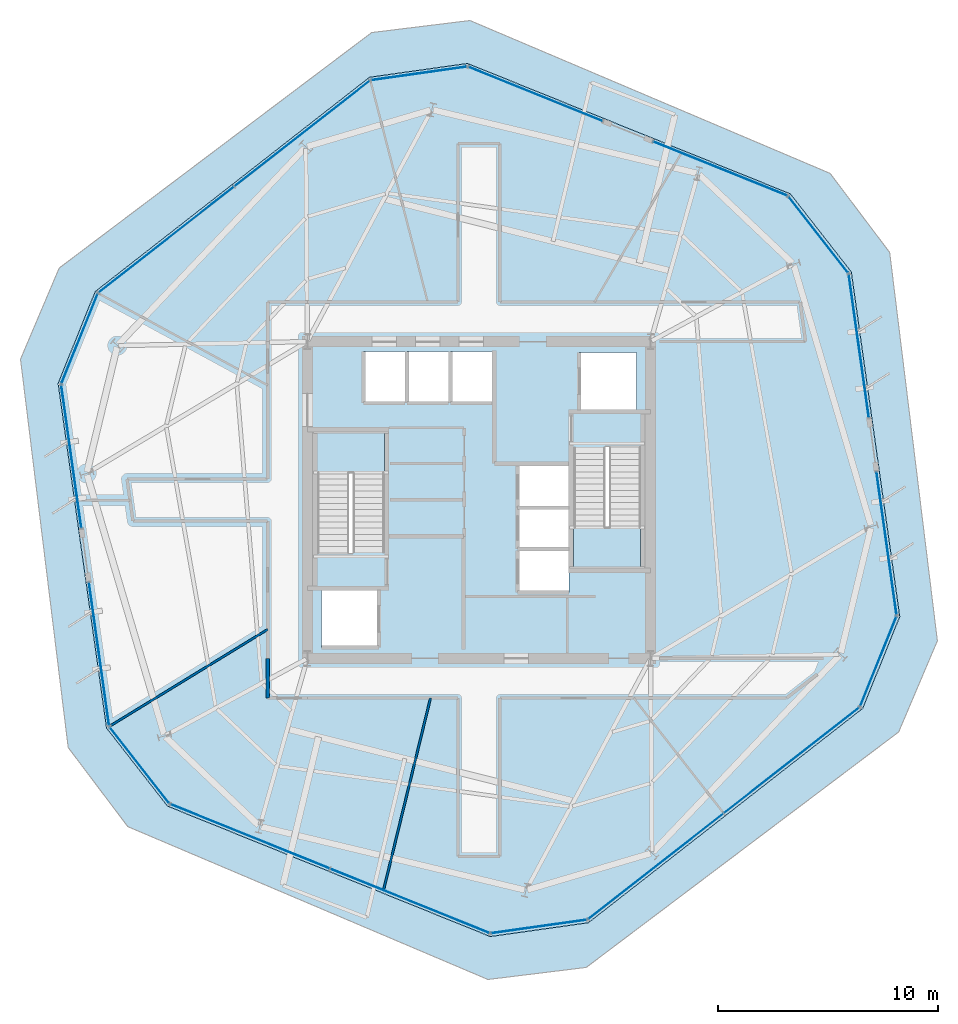
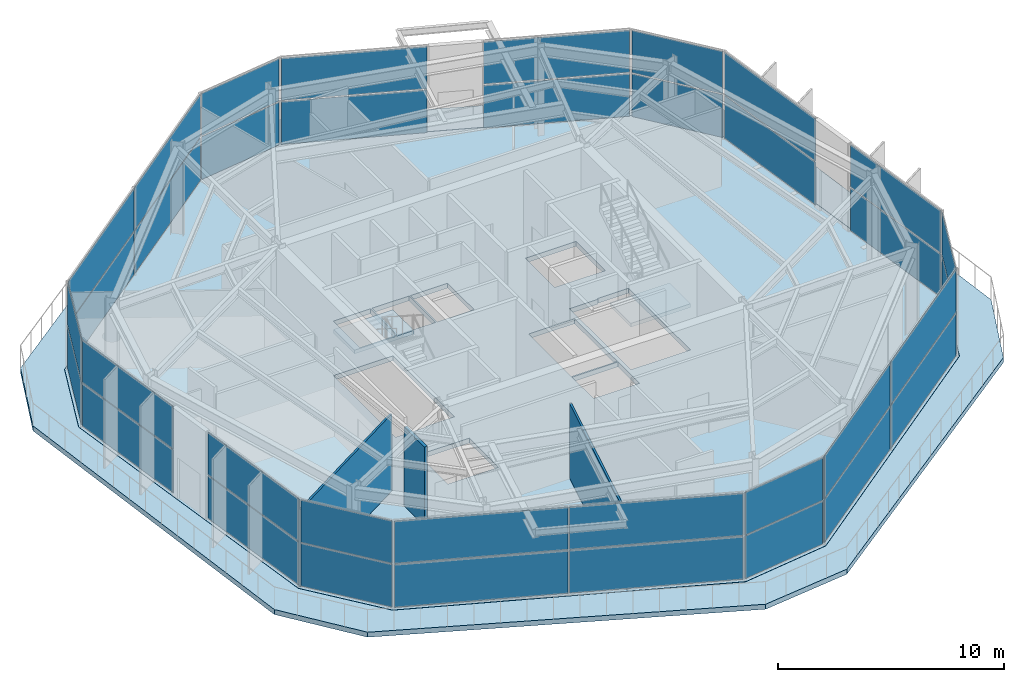
# One storey, part 8 of 14: 36 plates, 4 slabs, 3 walls, 17 elements without a shape of their own.
"""IFC4 building model written with IfcOpenShell, lengths in metres."""

from ifc_helpers import new_model, si_unit, direction, frame, frame_2d, origin, origin_2d, place, context, subcontext, project, spatial, polyline, rectangle, outline, extrude, material, layer, layer_set, type_object, element, aggregate, save


model = new_model("IFC4")

# Units and contexts
model_context = context("Model", 3, precision=1e-05, world=origin(), true_north=direction((0.0, 1.0)))
body_context = subcontext(model_context, "Body", "Model", "MODEL_VIEW")
ifc_project = project(units=[si_unit("LENGTHUNIT", "METRE"), si_unit("AREAUNIT", "SQUARE_METRE"), si_unit("VOLUMEUNIT", "CUBIC_METRE"), si_unit("PLANEANGLEUNIT", "RADIAN"), si_unit("MASSUNIT", "GRAM", prefix="KILO")], contexts=[model_context])

# Site, building, storey
site_placement = place(None, origin())
site = spatial("IfcSite", under=ifc_project, at=site_placement, CompositionType="ELEMENT")
building_placement = place(site_placement, origin())
building = spatial("IfcBuilding", under=site, at=building_placement, Name="Kranzbogen Civic Tower", CompositionType="ELEMENT")
storey_placement = place(building_placement, frame((0.0, 0.0, 175.800048828125)))
storey = spatial("IfcBuildingStorey", under=building, at=storey_placement, Name="L42", CompositionType="ELEMENT", Elevation=175.800048828125)

# Slabs
ifc_material_1 = material(Name="Concrete C40/50", Category="concrete")
ifc_layer_1 = layer(ifc_material_1, 0.260009765625, Name="Concrete C40/50")
ifc_layer_set_1 = layer_set([ifc_layer_1], Name="Concrete C40/50")
slab_type_1 = type_object("IfcSlabType", Name="Composite Podium and Sky Lobby Floor Slab 260 mm", PredefinedType="FLOOR", material=ifc_layer_set_1)
slab_1_placement = place(storey_placement, frame((0.0, 0.0, -0.260009765625)))
element("IfcSlab", 1, at=slab_1_placement, inside=storey, type_object=slab_type_1, Name="L42 tower floor slab", PredefinedType="FLOOR", context=body_context, shape_type="SweptSolid", body=[
    extrude(outline(polyline([(39.152099609375, 38.912109375), (24.48388671875, 44.837890625), (20.028076171875, 44.2109375), (7.56201171875, 34.471923828125), (5.8759765625, 30.300048828125), (8.077880859375, 14.634033203125), (10.847900390625, 11.087890625), (25.51611328125, 5.162109375), (29.971923828125, 5.7890625), (42.43798828125, 15.528076171875), (44.1240234375, 19.699951171875), (41.922119140625, 35.365966796875), (39.152099609375, 38.912109375)]), holes=[polyline([(20.449951171875, 20.89990234375), (20.449951171875, 18.300048828125), (17.85009765625, 18.300048828125), (17.85009765625, 20.89990234375), (20.449951171875, 20.89990234375)]), polyline([(29.10009765625, 22.699951171875), (29.10009765625, 20.800048828125), (26.75, 20.800048828125), (26.75, 22.699951171875), (29.10009765625, 22.699951171875)]), polyline([(29.10009765625, 24.64990234375), (29.10009765625, 22.77490234375), (26.75, 22.77490234375), (26.75, 24.64990234375), (26.75, 24.675048828125), (26.75, 26.550048828125), (29.10009765625, 26.550048828125), (29.10009765625, 24.675048828125), (29.10009765625, 24.64990234375)]), polyline([(30.75, 27.340087890625), (30.75, 27.39990234375), (32.35009765625, 27.39990234375), (32.35009765625, 21.89990234375), (29.300048828125, 21.89990234375), (29.300048828125, 27.340087890625), (30.75, 27.340087890625)]), polyline([(19.25, 22.659912109375), (19.25, 22.60009765625), (17.64990234375, 22.60009765625), (17.64990234375, 28.10009765625), (20.699951171875, 28.10009765625), (20.699951171875, 22.659912109375), (19.25, 22.659912109375)]), polyline([(32.14990234375, 31.699951171875), (32.14990234375, 29.10009765625), (29.550048828125, 29.10009765625), (29.550048828125, 31.699951171875), (32.14990234375, 31.699951171875)]), polyline([(21.64990234375, 31.75), (21.64990234375, 29.39990234375), (19.75, 29.39990234375), (19.75, 31.75), (21.64990234375, 31.75)]), polyline([(23.625, 29.39990234375), (21.72509765625, 29.39990234375), (21.72509765625, 31.75), (23.625, 31.75), (23.625, 29.39990234375)]), polyline([(25.60009765625, 29.39990234375), (23.699951171875, 29.39990234375), (23.699951171875, 31.75), (25.60009765625, 31.75), (25.60009765625, 29.39990234375)])]), origin(), (0.0, 0.0, 1.0), 0.260009765625),
])
ifc_layer_2 = layer(ifc_material_1, 0.27001953125, Name="Concrete C40/50")
ifc_layer_set_2 = layer_set([ifc_layer_2], Name="Concrete C40/50")
slab_type_2 = type_object("IfcSlabType", Name="Health Centre Insulated Roof Terrace Slab 270 mm", PredefinedType="FLOOR", material=ifc_layer_set_2)
slab_2_placement = place(storey_placement, frame((0.0, 0.0, -0.27001953125)))
element("IfcSlab", 2, at=slab_2_placement, inside=storey, type_object=slab_type_2, Name="L42 setback outdoor terrace slab 1", PredefinedType="FLOOR", context=body_context, shape_type="SweptSolid", body=[
    extrude(outline(polyline([(45.8349609375, 18.60009765625), (43.66796875, 36.25), (40.9599609375, 39.843994140625), (36.322998046875, 41.81201171875), (36.330078125, 41.8310546875), (35.262939453125, 42.261962890625), (24.591064453125, 46.7919921875), (20.125, 46.243896484375), (5.923095703125, 35.5419921875), (4.1650390625, 31.39990234375), (6.33203125, 13.75), (9.0400390625, 10.156005859375), (25.408935546875, 3.2080078125), (29.875, 3.756103515625), (44.076904296875, 14.4580078125), (45.8349609375, 18.60009765625)]), holes=[polyline([(39.156005859375, 38.9150390625), (41.926025390625, 35.368896484375), (41.926025390625, 35.368896484375), (41.926025390625, 35.367919921875), (41.927001953125, 35.367919921875), (41.927001953125, 35.366943359375), (41.927001953125, 35.366943359375), (44.12890625, 19.700927734375), (44.12890625, 19.699951171875), (44.12890625, 19.699951171875), (44.12890625, 19.698974609375), (44.12890625, 19.698974609375), (44.12890625, 19.697998046875), (42.443115234375, 15.52587890625), (42.44189453125, 15.52587890625), (42.44189453125, 15.52490234375), (42.44189453125, 15.52490234375), (42.44091796875, 15.52392578125), (42.44091796875, 15.52392578125), (29.97509765625, 5.784912109375), (29.97509765625, 5.784912109375), (29.97412109375, 5.784912109375), (29.97412109375, 5.783935546875), (29.972900390625, 5.783935546875), (29.972900390625, 5.783935546875), (25.51708984375, 5.156982421875), (25.51611328125, 5.156982421875), (25.51611328125, 5.156982421875), (25.514892578125, 5.156982421875), (25.514892578125, 5.156982421875), (25.513916015625, 5.156982421875), (10.845947265625, 11.0830078125), (10.845947265625, 11.083984375), (10.844970703125, 11.083984375), (10.844970703125, 11.083984375), (10.843994140625, 11.0849609375), (10.843994140625, 11.0849609375), (8.073974609375, 14.631103515625), (8.073974609375, 14.631103515625), (8.073974609375, 14.632080078125), (8.072998046875, 14.632080078125), (8.072998046875, 14.633056640625), (8.072998046875, 14.633056640625), (5.87109375, 30.299072265625), (5.87109375, 30.300048828125), (5.87109375, 30.300048828125), (5.87109375, 30.301025390625), (5.87109375, 30.301025390625), (5.87109375, 30.302001953125), (7.556884765625, 34.47412109375), (7.55810546875, 34.47412109375), (7.55810546875, 34.47509765625), (7.55810546875, 34.47509765625), (7.55908203125, 34.47607421875), (7.55908203125, 34.47607421875), (20.02490234375, 44.215087890625), (20.02490234375, 44.215087890625), (20.02587890625, 44.215087890625), (20.02587890625, 44.216064453125), (20.027099609375, 44.216064453125), (20.027099609375, 44.216064453125), (24.48291015625, 44.843017578125), (24.48388671875, 44.843017578125), (24.48388671875, 44.843017578125), (24.485107421875, 44.843017578125), (24.485107421875, 44.843017578125), (24.486083984375, 44.843017578125), (39.154052734375, 38.9169921875), (39.154052734375, 38.916015625), (39.155029296875, 38.916015625), (39.155029296875, 38.916015625), (39.156005859375, 38.9150390625), (39.156005859375, 38.9150390625)])]), origin(), (0.0, 0.0, 1.0), 0.27001953125),
])

# Curtain wall, plates
ifc_material_2 = material(Name="Pale Anodised Aluminium", Category="aluminium")
ifc_layer_3 = layer(ifc_material_2, 0.219970703125, Name="Pale Anodised Aluminium")
ifc_layer_set_3 = layer_set([ifc_layer_3], Name="Pale Anodised Aluminium")
curtain_wall_type_1 = type_object("IfcCurtainWallType", Name="Chamfer Facet Stick Curtain Wall System CW-06", PredefinedType="USERDEFINED", material=ifc_layer_set_3)
curtain_wall_1_placement = place(storey_placement, origin())
curtain_wall_1 = element("IfcCurtainWall", 3, at=curtain_wall_1_placement, inside=storey, type_object=curtain_wall_type_1, Name="L42 curtain wall CW-L42-C1", ObjectType="STICK CURTAIN WALL", PredefinedType="USERDEFINED")
ifc_material_3 = material(Name="Low-E Triple Glazing Glass", Category="glass")
ifc_layer_4 = layer(ifc_material_3, 0.02587890625, Name="Low-E Triple Glazing Glass")
ifc_layer_set_4 = layer_set([ifc_layer_4], Name="Low-E Triple Glazing Glass")
plate_type_1 = type_object("IfcPlateType", Name="Insulated Low-E Glazing Panel 26 mm", PredefinedType="CURTAIN_PANEL", material=ifc_layer_set_4)
plate_1_placement = place(storey_placement, frame((22.275390625, 44.386474609375, 0.059814453125), z_axis=(0.0, 0.0, 1.0), x_axis=(-0.990233903611, -0.139415982364, 0.0)))
plate_1 = element("IfcPlate", 4, at=plate_1_placement, type_object=plate_type_1, Name="CW-06 panel 1.1", PredefinedType="CURTAIN_PANEL", context=body_context, shape_type="SweptSolid", body=[
    extrude(rectangle(XDim=4.3486328125, YDim=0.028076171875, at=origin_2d()), origin(), (0.0, 0.0, 1.0), 2.31005859375),
])
plate_2_placement = place(storey_placement, frame((22.275390625, 44.386474609375, 2.429931640625), z_axis=(0.0, 0.0, 1.0), x_axis=(-0.990233903611, -0.139415982364, 0.0)))
plate_2 = element("IfcPlate", 5, at=plate_2_placement, type_object=plate_type_1, Name="CW-06 panel 1.2", PredefinedType="CURTAIN_PANEL", context=body_context, shape_type="SweptSolid", body=[
    extrude(rectangle(XDim=4.3486328125, YDim=0.028076171875, at=origin_2d()), origin(), (0.0, 0.0, 1.0), 2.2900390625),
])
aggregate(curtain_wall_1, [plate_1, plate_2])

curtain_wall_2_placement = place(storey_placement, origin())
curtain_wall_2 = element("IfcCurtainWall", 6, at=curtain_wall_2_placement, inside=storey, type_object=curtain_wall_type_1, Name="L42 curtain wall CW-L42-C2", ObjectType="STICK CURTAIN WALL", PredefinedType="USERDEFINED")
plate_3_placement = place(storey_placement, frame((6.847900390625, 32.333984375, 0.059814453125), z_axis=(0.0, 0.0, 1.0), x_axis=(-0.374707302781, -0.92714315898, 0.0)))
plate_3 = element("IfcPlate", 7, at=plate_3_placement, type_object=plate_type_1, Name="CW-06 panel 1.1", PredefinedType="CURTAIN_PANEL", context=body_context, shape_type="SweptSolid", body=[
    extrude(rectangle(XDim=4.347412109375, YDim=0.028076171875, at=origin_2d()), origin(), (0.0, 0.0, 1.0), 2.31005859375),
])
plate_4_placement = place(storey_placement, frame((6.847900390625, 32.333984375, 2.429931640625), z_axis=(0.0, 0.0, 1.0), x_axis=(-0.374707302781, -0.92714315898, 0.0)))
plate_4 = element("IfcPlate", 8, at=plate_4_placement, type_object=plate_type_1, Name="CW-06 panel 1.2", PredefinedType="CURTAIN_PANEL", context=body_context, shape_type="SweptSolid", body=[
    extrude(rectangle(XDim=4.347412109375, YDim=0.028076171875, at=origin_2d()), origin(), (0.0, 0.0, 1.0), 2.2900390625),
])
aggregate(curtain_wall_2, [plate_3, plate_4])

curtain_wall_3_placement = place(storey_placement, origin())
curtain_wall_3 = element("IfcCurtainWall", 9, at=curtain_wall_3_placement, inside=storey, type_object=curtain_wall_type_1, Name="L42 curtain wall CW-L42-C3", ObjectType="STICK CURTAIN WALL", PredefinedType="USERDEFINED")
plate_5_placement = place(storey_placement, frame((9.572509765625, 12.946533203125, 0.059814453125), z_axis=(0.0, 0.0, 1.0), x_axis=(0.615674442522, -0.78800062235, 0.0)))
plate_5 = element("IfcPlate", 10, at=plate_5_placement, type_object=plate_type_1, Name="CW-06 panel 1.1", PredefinedType="CURTAIN_PANEL", context=body_context, shape_type="SweptSolid", body=[
    extrude(rectangle(XDim=4.348388671875, YDim=0.028076171875, at=origin_2d()), origin(), (0.0, 0.0, 1.0), 2.31005859375),
])
plate_6_placement = place(storey_placement, frame((9.572509765625, 12.946533203125, 2.429931640625), z_axis=(0.0, 0.0, 1.0), x_axis=(0.615674442522, -0.78800062235, 0.0)))
plate_6 = element("IfcPlate", 11, at=plate_6_placement, type_object=plate_type_1, Name="CW-06 panel 1.2", PredefinedType="CURTAIN_PANEL", context=body_context, shape_type="SweptSolid", body=[
    extrude(rectangle(XDim=4.348388671875, YDim=0.028076171875, at=origin_2d()), origin(), (0.0, 0.0, 1.0), 2.2900390625),
])
aggregate(curtain_wall_3, [plate_5, plate_6])

curtain_wall_4_placement = place(storey_placement, origin())
curtain_wall_4 = element("IfcCurtainWall", 12, at=curtain_wall_4_placement, inside=storey, type_object=curtain_wall_type_1, Name="L42 curtain wall CW-L42-C4", ObjectType="STICK CURTAIN WALL", PredefinedType="USERDEFINED")
plate_7_placement = place(storey_placement, frame((27.724609375, 5.613525390625, 0.059814453125), z_axis=(0.0, 0.0, 1.0), x_axis=(0.990233903611, 0.139415982364, 0.0)))
plate_7 = element("IfcPlate", 13, at=plate_7_placement, type_object=plate_type_1, Name="CW-06 panel 1.1", PredefinedType="CURTAIN_PANEL", context=body_context, shape_type="SweptSolid", body=[
    extrude(rectangle(XDim=4.3486328125, YDim=0.028076171875, at=origin_2d()), origin(), (0.0, 0.0, 1.0), 2.31005859375),
])
plate_8_placement = place(storey_placement, frame((27.724609375, 5.613525390625, 2.429931640625), z_axis=(0.0, 0.0, 1.0), x_axis=(0.990233903611, 0.139415982364, 0.0)))
plate_8 = element("IfcPlate", 14, at=plate_8_placement, type_object=plate_type_1, Name="CW-06 panel 1.2", PredefinedType="CURTAIN_PANEL", context=body_context, shape_type="SweptSolid", body=[
    extrude(rectangle(XDim=4.3486328125, YDim=0.028076171875, at=origin_2d()), origin(), (0.0, 0.0, 1.0), 2.2900390625),
])
aggregate(curtain_wall_4, [plate_7, plate_8])

curtain_wall_5_placement = place(storey_placement, origin())
curtain_wall_5 = element("IfcCurtainWall", 15, at=curtain_wall_5_placement, inside=storey, type_object=curtain_wall_type_1, Name="L42 curtain wall CW-L42-C5", ObjectType="STICK CURTAIN WALL", PredefinedType="USERDEFINED")
plate_9_placement = place(storey_placement, frame((43.152099609375, 17.666015625, 0.059814453125), z_axis=(0.0, 0.0, 1.0), x_axis=(0.374707302781, 0.92714315898, 0.0)))
plate_9 = element("IfcPlate", 16, at=plate_9_placement, type_object=plate_type_1, Name="CW-06 panel 1.1", PredefinedType="CURTAIN_PANEL", context=body_context, shape_type="SweptSolid", body=[
    extrude(rectangle(XDim=4.347412109375, YDim=0.028076171875, at=origin_2d()), origin(), (0.0, 0.0, 1.0), 2.31005859375),
])
plate_10_placement = place(storey_placement, frame((43.152099609375, 17.666015625, 2.429931640625), z_axis=(0.0, 0.0, 1.0), x_axis=(0.374707302781, 0.92714315898, 0.0)))
plate_10 = element("IfcPlate", 17, at=plate_10_placement, type_object=plate_type_1, Name="CW-06 panel 1.2", PredefinedType="CURTAIN_PANEL", context=body_context, shape_type="SweptSolid", body=[
    extrude(rectangle(XDim=4.347412109375, YDim=0.028076171875, at=origin_2d()), origin(), (0.0, 0.0, 1.0), 2.2900390625),
])
aggregate(curtain_wall_5, [plate_9, plate_10])

curtain_wall_6_placement = place(storey_placement, origin())
curtain_wall_6 = element("IfcCurtainWall", 18, at=curtain_wall_6_placement, inside=storey, type_object=curtain_wall_type_1, Name="L42 curtain wall CW-L42-C6", ObjectType="STICK CURTAIN WALL", PredefinedType="USERDEFINED")
plate_11_placement = place(storey_placement, frame((40.427490234375, 37.053466796875, 0.059814453125), z_axis=(0.0, 0.0, 1.0), x_axis=(-0.615674442522, 0.78800062235, 0.0)))
plate_11 = element("IfcPlate", 19, at=plate_11_placement, type_object=plate_type_1, Name="CW-06 panel 1.1", PredefinedType="CURTAIN_PANEL", context=body_context, shape_type="SweptSolid", body=[
    extrude(rectangle(XDim=4.348388671875, YDim=0.028076171875, at=origin_2d()), origin(), (0.0, 0.0, 1.0), 2.31005859375),
])
plate_12_placement = place(storey_placement, frame((40.427490234375, 37.053466796875, 2.429931640625), z_axis=(0.0, 0.0, 1.0), x_axis=(-0.615674442522, 0.78800062235, 0.0)))
plate_12 = element("IfcPlate", 20, at=plate_12_placement, type_object=plate_type_1, Name="CW-06 panel 1.2", PredefinedType="CURTAIN_PANEL", context=body_context, shape_type="SweptSolid", body=[
    extrude(rectangle(XDim=4.348388671875, YDim=0.028076171875, at=origin_2d()), origin(), (0.0, 0.0, 1.0), 2.2900390625),
])
aggregate(curtain_wall_6, [plate_11, plate_12])

ifc_layer_5 = layer(ifc_material_2, 0.219970703125, Name="Pale Anodised Aluminium")
ifc_layer_set_5 = layer_set([ifc_layer_5], Name="Pale Anodised Aluminium")
curtain_wall_type_2 = type_object("IfcCurtainWallType", Name="Zone 3 Stick Curtain Wall System CW-04", PredefinedType="USERDEFINED", material=ifc_layer_set_5)
curtain_wall_7_placement = place(storey_placement, origin())
curtain_wall_7 = element("IfcCurtainWall", 21, at=curtain_wall_7_placement, inside=storey, type_object=curtain_wall_type_2, Name="L42 curtain wall CW-L42-F1-S1", ObjectType="STICK CURTAIN WALL", PredefinedType="USERDEFINED")
ifc_layer_6 = layer(ifc_material_3, 0.030029296875, Name="Low-E Triple Glazing Glass")
ifc_layer_set_6 = layer_set([ifc_layer_6], Name="Low-E Triple Glazing Glass")
plate_type_2 = type_object("IfcPlateType", Name="Insulated Low-E Glazing Panel 30 mm", PredefinedType="CURTAIN_PANEL", material=ifc_layer_set_6)
plate_13_placement = place(storey_placement, frame((35.967529296875, 40.06005859375, 0.059814453125), z_axis=(0.0, 0.0, 1.0), x_axis=(-0.927206707044, 0.374550026583, 0.0)))
plate_13 = element("IfcPlate", 22, at=plate_13_placement, type_object=plate_type_2, Name="CW-04 panel 1.1", PredefinedType="CURTAIN_PANEL", context=body_context, shape_type="SweptSolid", body=[
    extrude(rectangle(XDim=6.533203125, YDim=0.028076171875, at=origin_2d()), origin(), (0.0, 0.0, 1.0), 2.31005859375),
])
plate_14_placement = place(storey_placement, frame((35.967529296875, 40.06005859375, 2.429931640625), z_axis=(0.0, 0.0, 1.0), x_axis=(-0.927206707044, 0.374550026583, 0.0)))
plate_14 = element("IfcPlate", 23, at=plate_14_placement, type_object=plate_type_2, Name="CW-04 panel 1.2", PredefinedType="CURTAIN_PANEL", context=body_context, shape_type="SweptSolid", body=[
    extrude(rectangle(XDim=6.533203125, YDim=0.028076171875, at=origin_2d()), origin(), (0.0, 0.0, 1.0), 2.2900390625),
])
aggregate(curtain_wall_7, [plate_13, plate_14])

curtain_wall_8_placement = place(storey_placement, origin())
curtain_wall_8 = element("IfcCurtainWall", 24, at=curtain_wall_8_placement, inside=storey, type_object=curtain_wall_type_2, Name="L42 curtain wall CW-L42-F1-S2", ObjectType="STICK CURTAIN WALL", PredefinedType="USERDEFINED")
plate_15_placement = place(storey_placement, frame((27.572998046875, 43.451416015625, 0.059814453125), z_axis=(0.0, 0.0, 1.0), x_axis=(-0.927175597999, 0.37462702849, 0.0)))
plate_15 = element("IfcPlate", 25, at=plate_15_placement, type_object=plate_type_2, Name="CW-04 panel 1.1", PredefinedType="CURTAIN_PANEL", context=body_context, shape_type="SweptSolid", body=[
    extrude(rectangle(XDim=6.53466796875, YDim=0.028076171875, at=origin_2d()), origin(), (0.0, 0.0, 1.0), 2.31005859375),
])
plate_16_placement = place(storey_placement, frame((27.572998046875, 43.451416015625, 2.429931640625), z_axis=(0.0, 0.0, 1.0), x_axis=(-0.927175597999, 0.37462702849, 0.0)))
plate_16 = element("IfcPlate", 26, at=plate_16_placement, type_object=plate_type_2, Name="CW-04 panel 1.2", PredefinedType="CURTAIN_PANEL", context=body_context, shape_type="SweptSolid", body=[
    extrude(rectangle(XDim=6.53466796875, YDim=0.028076171875, at=origin_2d()), origin(), (0.0, 0.0, 1.0), 2.2900390625),
])
aggregate(curtain_wall_8, [plate_15, plate_16])

curtain_wall_9_placement = place(storey_placement, origin())
curtain_wall_9 = element("IfcCurtainWall", 27, at=curtain_wall_9_placement, inside=storey, type_object=curtain_wall_type_2, Name="L42 curtain wall CW-L42-F2", ObjectType="STICK CURTAIN WALL", PredefinedType="USERDEFINED")
plate_17_placement = place(storey_placement, frame((16.956787109375, 41.648193359375, 0.059814453125), z_axis=(0.0, 0.0, 1.0), x_axis=(-0.788034025548, -0.615631687439, 0.0)))
plate_17 = element("IfcPlate", 28, at=plate_17_placement, type_object=plate_type_2, Name="CW-04 panel 1.1", PredefinedType="CURTAIN_PANEL", context=body_context, shape_type="SweptSolid", body=[
    extrude(rectangle(XDim=7.763671875, YDim=0.028076171875, at=origin_2d()), origin(), (0.0, 0.0, 1.0), 2.31005859375),
])
plate_18_placement = place(storey_placement, frame((16.956787109375, 41.648193359375, 2.429931640625), z_axis=(0.0, 0.0, 1.0), x_axis=(-0.788034025548, -0.615631687439, 0.0)))
plate_18 = element("IfcPlate", 29, at=plate_18_placement, type_object=plate_type_2, Name="CW-04 panel 1.2", PredefinedType="CURTAIN_PANEL", context=body_context, shape_type="SweptSolid", body=[
    extrude(rectangle(XDim=7.763671875, YDim=0.028076171875, at=origin_2d()), origin(), (0.0, 0.0, 1.0), 2.2900390625),
])
plate_19_placement = place(storey_placement, frame((10.791259765625, 36.831787109375, 0.059814453125), z_axis=(0.0, 0.0, 1.0), x_axis=(-0.788034025548, -0.615631687439, 0.0)))
plate_19 = element("IfcPlate", 30, at=plate_19_placement, type_object=plate_type_2, Name="CW-04 panel 2.1", PredefinedType="CURTAIN_PANEL", context=body_context, shape_type="SweptSolid", body=[
    extrude(rectangle(XDim=7.763671875, YDim=0.028076171875, at=origin_2d()), origin(), (0.0, 0.0, 1.0), 2.31005859375),
])
plate_20_placement = place(storey_placement, frame((10.791259765625, 36.831787109375, 2.429931640625), z_axis=(0.0, 0.0, 1.0), x_axis=(-0.788034025548, -0.615631687439, 0.0)))
plate_20 = element("IfcPlate", 31, at=plate_20_placement, type_object=plate_type_2, Name="CW-04 panel 2.2", PredefinedType="CURTAIN_PANEL", context=body_context, shape_type="SweptSolid", body=[
    extrude(rectangle(XDim=7.763671875, YDim=0.028076171875, at=origin_2d()), origin(), (0.0, 0.0, 1.0), 2.2900390625),
])
aggregate(curtain_wall_9, [plate_17, plate_18, plate_19, plate_20])

curtain_wall_10_placement = place(storey_placement, origin())
curtain_wall_10 = element("IfcCurtainWall", 32, at=curtain_wall_10_placement, inside=storey, type_object=curtain_wall_type_2, Name="L42 curtain wall CW-L42-F3-S1", ObjectType="STICK CURTAIN WALL", PredefinedType="USERDEFINED")
plate_21_placement = place(storey_placement, frame((6.47412109375, 26.968017578125, 0.059814453125), z_axis=(0.0, 0.0, 1.0), x_axis=(0.139148919332, -0.990271466947, 0.0)))
plate_21 = element("IfcPlate", 33, at=plate_21_placement, type_object=plate_type_2, Name="CW-04 panel 1.1", PredefinedType="CURTAIN_PANEL", context=body_context, shape_type="SweptSolid", body=[
    extrude(rectangle(XDim=6.53466796875, YDim=0.028076171875, at=origin_2d()), origin(), (0.0, 0.0, 1.0), 2.31005859375),
])
plate_22_placement = place(storey_placement, frame((6.47412109375, 26.968017578125, 2.429931640625), z_axis=(0.0, 0.0, 1.0), x_axis=(0.139148919332, -0.990271466947, 0.0)))
plate_22 = element("IfcPlate", 34, at=plate_22_placement, type_object=plate_type_2, Name="CW-04 panel 1.2", PredefinedType="CURTAIN_PANEL", context=body_context, shape_type="SweptSolid", body=[
    extrude(rectangle(XDim=6.53466796875, YDim=0.028076171875, at=origin_2d()), origin(), (0.0, 0.0, 1.0), 2.2900390625),
])
aggregate(curtain_wall_10, [plate_21, plate_22])

curtain_wall_11_placement = place(storey_placement, origin())
curtain_wall_11 = element("IfcCurtainWall", 35, at=curtain_wall_11_placement, inside=storey, type_object=curtain_wall_type_2, Name="L42 curtain wall CW-L42-F3-S2", ObjectType="STICK CURTAIN WALL", PredefinedType="USERDEFINED")
plate_23_placement = place(storey_placement, frame((7.73388671875, 18.001953125, 0.059814453125), z_axis=(0.0, 0.0, 1.0), x_axis=(0.139148919332, -0.990271466947, 0.0)))
plate_23 = element("IfcPlate", 36, at=plate_23_placement, type_object=plate_type_2, Name="CW-04 panel 1.1", PredefinedType="CURTAIN_PANEL", context=body_context, shape_type="SweptSolid", body=[
    extrude(rectangle(XDim=6.53466796875, YDim=0.028076171875, at=origin_2d()), origin(), (0.0, 0.0, 1.0), 2.31005859375),
])
plate_24_placement = place(storey_placement, frame((7.73388671875, 18.001953125, 2.429931640625), z_axis=(0.0, 0.0, 1.0), x_axis=(0.139148919332, -0.990271466947, 0.0)))
plate_24 = element("IfcPlate", 37, at=plate_24_placement, type_object=plate_type_2, Name="CW-04 panel 1.2", PredefinedType="CURTAIN_PANEL", context=body_context, shape_type="SweptSolid", body=[
    extrude(rectangle(XDim=6.53466796875, YDim=0.028076171875, at=origin_2d()), origin(), (0.0, 0.0, 1.0), 2.2900390625),
])
aggregate(curtain_wall_11, [plate_23, plate_24])

curtain_wall_12_placement = place(storey_placement, origin())
curtain_wall_12 = element("IfcCurtainWall", 38, at=curtain_wall_12_placement, inside=storey, type_object=curtain_wall_type_2, Name="L42 curtain wall CW-L42-F4", ObjectType="STICK CURTAIN WALL", PredefinedType="USERDEFINED")
plate_25_placement = place(storey_placement, frame((14.60302734375, 9.70947265625, 0.059814453125), z_axis=(0.0, 0.0, 1.0), x_axis=(0.927189116105, -0.374593570389, 0.0)))
plate_25 = element("IfcPlate", 39, at=plate_25_placement, type_object=plate_type_2, Name="CW-04 panel 1.1", PredefinedType="CURTAIN_PANEL", context=body_context, shape_type="SweptSolid", body=[
    extrude(rectangle(XDim=7.763916015625, YDim=0.028076171875, at=origin_2d()), origin(), (0.0, 0.0, 1.0), 2.31005859375),
])
plate_26_placement = place(storey_placement, frame((14.60302734375, 9.70947265625, 2.429931640625), z_axis=(0.0, 0.0, 1.0), x_axis=(0.927189116105, -0.374593570389, 0.0)))
plate_26 = element("IfcPlate", 40, at=plate_26_placement, type_object=plate_type_2, Name="CW-04 panel 1.2", PredefinedType="CURTAIN_PANEL", context=body_context, shape_type="SweptSolid", body=[
    extrude(rectangle(XDim=7.763916015625, YDim=0.028076171875, at=origin_2d()), origin(), (0.0, 0.0, 1.0), 2.2900390625),
])
plate_27_placement = place(storey_placement, frame((21.857177734375, 6.778564453125, 0.059814453125), z_axis=(0.0, 0.0, 1.0), x_axis=(0.927189116105, -0.374593570389, 0.0)))
plate_27 = element("IfcPlate", 41, at=plate_27_placement, type_object=plate_type_2, Name="CW-04 panel 2.1", PredefinedType="CURTAIN_PANEL", context=body_context, shape_type="SweptSolid", body=[
    extrude(rectangle(XDim=7.763916015625, YDim=0.028076171875, at=origin_2d()), origin(), (0.0, 0.0, 1.0), 2.31005859375),
])
plate_28_placement = place(storey_placement, frame((21.857177734375, 6.778564453125, 2.429931640625), z_axis=(0.0, 0.0, 1.0), x_axis=(0.927189116105, -0.374593570389, 0.0)))
plate_28 = element("IfcPlate", 42, at=plate_28_placement, type_object=plate_type_2, Name="CW-04 panel 2.2", PredefinedType="CURTAIN_PANEL", context=body_context, shape_type="SweptSolid", body=[
    extrude(rectangle(XDim=7.763916015625, YDim=0.028076171875, at=origin_2d()), origin(), (0.0, 0.0, 1.0), 2.2900390625),
])
aggregate(curtain_wall_12, [plate_25, plate_26, plate_27, plate_28])

curtain_wall_13_placement = place(storey_placement, origin())
curtain_wall_13 = element("IfcCurtainWall", 43, at=curtain_wall_13_placement, inside=storey, type_object=curtain_wall_type_2, Name="L42 curtain wall CW-L42-F5", ObjectType="STICK CURTAIN WALL", PredefinedType="USERDEFINED")
plate_29_placement = place(storey_placement, frame((33.043212890625, 8.351806640625, 0.059814453125), z_axis=(0.0, 0.0, 1.0), x_axis=(0.788034025548, 0.615631687439, 0.0)))
plate_29 = element("IfcPlate", 44, at=plate_29_placement, type_object=plate_type_2, Name="CW-04 panel 1.1", PredefinedType="CURTAIN_PANEL", context=body_context, shape_type="SweptSolid", body=[
    extrude(rectangle(XDim=7.763671875, YDim=0.028076171875, at=origin_2d()), origin(), (0.0, 0.0, 1.0), 2.31005859375),
])
plate_30_placement = place(storey_placement, frame((33.043212890625, 8.351806640625, 2.429931640625), z_axis=(0.0, 0.0, 1.0), x_axis=(0.788034025548, 0.615631687439, 0.0)))
plate_30 = element("IfcPlate", 45, at=plate_30_placement, type_object=plate_type_2, Name="CW-04 panel 1.2", PredefinedType="CURTAIN_PANEL", context=body_context, shape_type="SweptSolid", body=[
    extrude(rectangle(XDim=7.763671875, YDim=0.028076171875, at=origin_2d()), origin(), (0.0, 0.0, 1.0), 2.2900390625),
])
plate_31_placement = place(storey_placement, frame((39.208740234375, 13.168212890625, 0.059814453125), z_axis=(0.0, 0.0, 1.0), x_axis=(0.788034025548, 0.615631687439, 0.0)))
plate_31 = element("IfcPlate", 46, at=plate_31_placement, type_object=plate_type_2, Name="CW-04 panel 2.1", PredefinedType="CURTAIN_PANEL", context=body_context, shape_type="SweptSolid", body=[
    extrude(rectangle(XDim=7.763671875, YDim=0.028076171875, at=origin_2d()), origin(), (0.0, 0.0, 1.0), 2.31005859375),
])
plate_32_placement = place(storey_placement, frame((39.208740234375, 13.168212890625, 2.429931640625), z_axis=(0.0, 0.0, 1.0), x_axis=(0.788034025548, 0.615631687439, 0.0)))
plate_32 = element("IfcPlate", 47, at=plate_32_placement, type_object=plate_type_2, Name="CW-04 panel 2.2", PredefinedType="CURTAIN_PANEL", context=body_context, shape_type="SweptSolid", body=[
    extrude(rectangle(XDim=7.763671875, YDim=0.028076171875, at=origin_2d()), origin(), (0.0, 0.0, 1.0), 2.2900390625),
])
aggregate(curtain_wall_13, [plate_29, plate_30, plate_31, plate_32])

curtain_wall_14_placement = place(storey_placement, origin())
curtain_wall_14 = element("IfcCurtainWall", 48, at=curtain_wall_14_placement, inside=storey, type_object=curtain_wall_type_2, Name="L42 curtain wall CW-L42-F6-S1", ObjectType="STICK CURTAIN WALL", PredefinedType="USERDEFINED")
plate_33_placement = place(storey_placement, frame((43.52587890625, 23.031982421875, 0.059814453125), z_axis=(0.0, 0.0, 1.0), x_axis=(-0.139148919332, 0.990271466947, 0.0)))
plate_33 = element("IfcPlate", 49, at=plate_33_placement, type_object=plate_type_2, Name="CW-04 panel 1.1", PredefinedType="CURTAIN_PANEL", context=body_context, shape_type="SweptSolid", body=[
    extrude(rectangle(XDim=6.53466796875, YDim=0.028076171875, at=origin_2d()), origin(), (0.0, 0.0, 1.0), 2.31005859375),
])
plate_34_placement = place(storey_placement, frame((43.52587890625, 23.031982421875, 2.429931640625), z_axis=(0.0, 0.0, 1.0), x_axis=(-0.139148919332, 0.990271466947, 0.0)))
plate_34 = element("IfcPlate", 50, at=plate_34_placement, type_object=plate_type_2, Name="CW-04 panel 1.2", PredefinedType="CURTAIN_PANEL", context=body_context, shape_type="SweptSolid", body=[
    extrude(rectangle(XDim=6.53466796875, YDim=0.028076171875, at=origin_2d()), origin(), (0.0, 0.0, 1.0), 2.2900390625),
])
aggregate(curtain_wall_14, [plate_33, plate_34])

curtain_wall_15_placement = place(storey_placement, origin())
curtain_wall_15 = element("IfcCurtainWall", 51, at=curtain_wall_15_placement, inside=storey, type_object=curtain_wall_type_2, Name="L42 curtain wall CW-L42-F6-S2", ObjectType="STICK CURTAIN WALL", PredefinedType="USERDEFINED")
plate_35_placement = place(storey_placement, frame((42.26611328125, 31.99853515625, 0.059814453125), z_axis=(0.0, 0.0, 1.0), x_axis=(-0.139169628699, 0.99026855673, 0.0)))
plate_35 = element("IfcPlate", 52, at=plate_35_placement, type_object=plate_type_2, Name="CW-04 panel 1.1", PredefinedType="CURTAIN_PANEL", context=body_context, shape_type="SweptSolid", body=[
    extrude(rectangle(XDim=6.53369140625, YDim=0.028076171875, at=origin_2d()), origin(), (0.0, 0.0, 1.0), 2.31005859375),
])
plate_36_placement = place(storey_placement, frame((42.26611328125, 31.99853515625, 2.429931640625), z_axis=(0.0, 0.0, 1.0), x_axis=(-0.139169628699, 0.99026855673, 0.0)))
plate_36 = element("IfcPlate", 53, at=plate_36_placement, type_object=plate_type_2, Name="CW-04 panel 1.2", PredefinedType="CURTAIN_PANEL", context=body_context, shape_type="SweptSolid", body=[
    extrude(rectangle(XDim=6.53369140625, YDim=0.028076171875, at=origin_2d()), origin(), (0.0, 0.0, 1.0), 2.2900390625),
])
aggregate(curtain_wall_15, [plate_35, plate_36])

# Stair, slab
ifc_material_4 = material(Name="Precast concrete C40/50", Category="concrete")
stair_type_1 = type_object("IfcStairType", Name="Tower Core Pressurized Dogleg Stair 1450", PredefinedType="HALF_TURN_STAIR", material=ifc_material_4)
stair_1_placement = place(storey_placement, origin())
stair_1 = element("IfcStair", 54, at=stair_1_placement, inside=storey, type_object=stair_type_1, Name="L42 Tower Core Pressurized Stair 1", PredefinedType="HALF_TURN_STAIR")
ifc_layer_7 = layer(ifc_material_4, 0.199951171875, Name="Precast concrete C40/50")
ifc_layer_set_7 = layer_set([ifc_layer_7], Name="Precast concrete C40/50")
slab_type_3 = type_object("IfcSlabType", Name="Precast Concrete Stair Landing Slab 200 mm", PredefinedType="LANDING", material=ifc_layer_set_7)
slab_3_placement = place(storey_placement, frame((0.0, 0.0, 2.300048828125)))
slab_3 = element("IfcSlab", 55, at=slab_3_placement, type_object=slab_type_3, Name="ST-T1 landing 1", PredefinedType="LANDING", context=body_context, shape_type="SweptSolid", body=[
    extrude(outline(polyline([(20.699951171875, 26.239990234375), (20.699951171875, 28.10009765625), (17.64990234375, 28.10009765625), (17.64990234375, 26.239990234375), (20.699951171875, 26.239990234375)])), origin(), (0.0, 0.0, 1.0), 0.199951171875),
])
aggregate(stair_1, [slab_3])

stair_type_2 = type_object("IfcStairType", Name="Tower Core Secondary Dogleg Stair 1450", PredefinedType="HALF_TURN_STAIR", material=ifc_material_4)
stair_2_placement = place(storey_placement, origin())
stair_2 = element("IfcStair", 56, at=stair_2_placement, inside=storey, type_object=stair_type_2, Name="L42 Tower Core Pressurized Stair 2", PredefinedType="HALF_TURN_STAIR")
slab_4_placement = place(storey_placement, frame((0.0, 0.0, 2.300048828125)))
slab_4 = element("IfcSlab", 57, at=slab_4_placement, type_object=slab_type_3, Name="ST-T2 landing 1", PredefinedType="LANDING", context=body_context, shape_type="SweptSolid", body=[
    extrude(outline(polyline([(29.300048828125, 23.760009765625), (29.300048828125, 21.89990234375), (32.35009765625, 21.89990234375), (32.35009765625, 23.760009765625), (29.300048828125, 23.760009765625)])), origin(), (0.0, 0.0, 1.0), 0.199951171875),
])
aggregate(stair_2, [slab_4])

# Walls
ifc_material_5 = material(Name="Double-Stud Acoustic Gypsum Partition")
ifc_layer_8 = layer(ifc_material_5, 0.14990234375, Name="Double-Stud Acoustic Gypsum Partition")
ifc_layer_set_8 = layer_set([ifc_layer_8], Name="Double-Stud Acoustic Gypsum Partition")
wall_type_1 = type_object("IfcWallType", Name="Acoustic Corridor and Clinical Partition 150 mm", PredefinedType="PARTITIONING", material=ifc_layer_set_8)
wall_1_placement = place(storey_placement, frame((15.39990234375, 16.0, 0.0), z_axis=(0.0, 0.0, 1.0), x_axis=(0.0, 1.0, 0.0)))
element("IfcWall", 58, at=wall_1_placement, inside=storey, type_object=wall_type_1, Name="L42 corridor partition 02", PredefinedType="PARTITIONING", context=body_context, shape_type="SweptSolid", body=[
    extrude(rectangle(XDim=1.800048828125, YDim=0.14990234375, at=frame_2d((0.89990234375, 0.0))), origin(), (0.0, 0.0, 1.0), 4.280029296875),
])
ifc_material_6 = material(Name="Demountable Aluminium and Gypsum Partition", Category="aluminium")
ifc_layer_9 = layer(ifc_material_6, 0.10009765625, Name="Demountable Aluminium and Gypsum Partition")
ifc_layer_set_9 = layer_set([ifc_layer_9], Name="Demountable Aluminium and Gypsum Partition")
wall_type_2 = type_object("IfcWallType", Name="Demountable Office Partition 100 mm", PredefinedType="MOVABLE", material=ifc_layer_set_9)
wall_2_placement = place(storey_placement, frame((15.39990234375, 19.118896484375, 0.0), z_axis=(0.0, 0.0, 1.0), x_axis=(-0.852764414146, -0.522295753348, 0.0)))
element("IfcWall", 59, at=wall_2_placement, inside=storey, type_object=wall_type_2, Name="L42 radial room partition 04", PredefinedType="MOVABLE", context=body_context, shape_type="SweptSolid", body=[
    extrude(rectangle(XDim=8.427978515625, YDim=0.10009765625, at=frame_2d((4.2138671875, 0.0))), origin(), (0.0, 0.0, 1.0), 4.179931640625),
])
wall_3_placement = place(storey_placement, frame((22.799072265625, 16.0, 0.0), z_axis=(0.0, 0.0, 1.0), x_axis=(-0.237561419307, -0.971372519715, 0.0)))
element("IfcWall", 60, at=wall_3_placement, inside=storey, type_object=wall_type_2, Name="L42 radial room partition 05", PredefinedType="MOVABLE", context=body_context, shape_type="SweptSolid", body=[
    extrude(rectangle(XDim=8.97900390625, YDim=0.10009765625, at=frame_2d((4.489501953125, 0.0))), origin(), (0.0, 0.0, 1.0), 4.050048828125),
])

save(model, "model.ifc")
